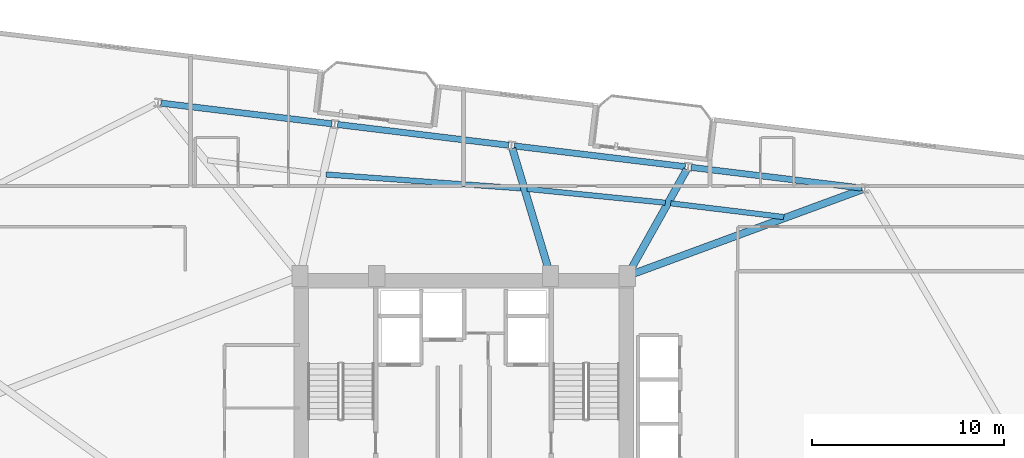
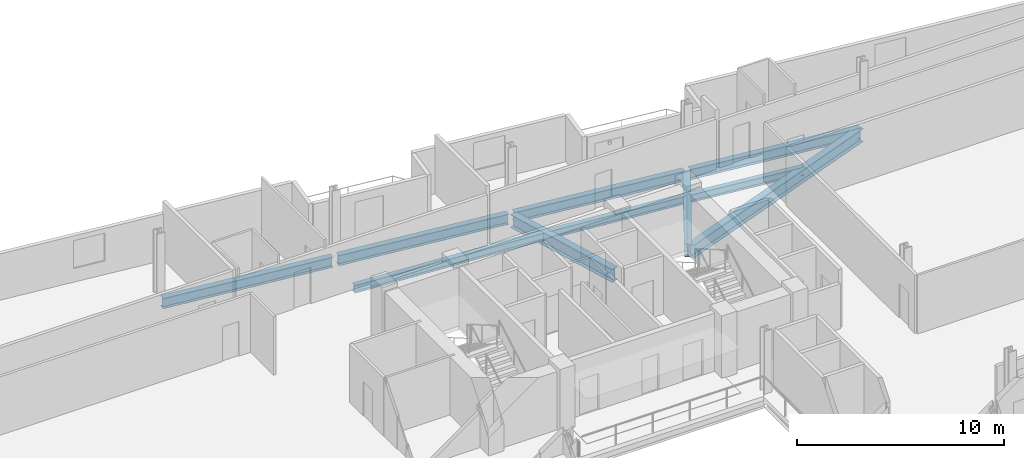
# One storey, part 13 of 26: 10 beams.
"""IFC4 building model written with IfcOpenShell, lengths in metres."""

from ifc_helpers import new_model, si_unit, direction, frame, origin, origin_2d, place, context, subcontext, project, spatial, i_section, extrude, material, material_profile, profile_set, type_object, element, save


model = new_model("IFC4")

# Units and contexts
model_context = context("Model", 3, precision=1e-05, world=origin(), true_north=direction((0.0, 1.0)))
body_context = subcontext(model_context, "Body", "Model", "MODEL_VIEW")
ifc_project = project(units=[si_unit("LENGTHUNIT", "METRE"), si_unit("AREAUNIT", "SQUARE_METRE"), si_unit("VOLUMEUNIT", "CUBIC_METRE"), si_unit("PLANEANGLEUNIT", "RADIAN"), si_unit("MASSUNIT", "GRAM", prefix="KILO")], contexts=[model_context])

# Site, building, storey
site_placement = place(None, origin())
site = spatial("IfcSite", under=ifc_project, at=site_placement, CompositionType="ELEMENT")
building_placement = place(site_placement, origin())
building = spatial("IfcBuilding", under=site, at=building_placement, Name="Varnelok Gate Tower", CompositionType="ELEMENT")
storey_placement = place(building_placement, frame((0.0, 0.0, 143.89990234375)))
storey = spatial("IfcBuildingStorey", under=building, at=storey_placement, Name="L36", CompositionType="ELEMENT", Elevation=143.89990234375)

# Beams
ifc_material = material(Name="Structural Steel ASTM A992 Grade 50", Category="steel")
ifc_material_profile_1 = material_profile(ifc_material, i_section(OverallWidth=0.280029296875, OverallDepth=0.462890625, WebThickness=0.0107421875, FlangeThickness=0.017333984375, FilletRadius=0.014892578125, at=origin_2d()), Name="W18X76")
ifc_profile_set_1 = profile_set([ifc_material_profile_1], Name="Structural Steel ASTM A992 Grade 50")
beam_type_1 = type_object("IfcBeamType", Name="BM-JST-W18X76", PredefinedType="JOIST", material=ifc_profile_set_1)
beam_1_placement = place(storey_placement, frame((55.83837890625, 42.11767578125, -0.4814453125), z_axis=(-0.992736768693, 0.120306725023, 0.0), x_axis=(-0.120306725023, -0.992736768693, 0.0)))
element("IfcBeam", 1, at=beam_1_placement, inside=storey, type_object=beam_type_1, Name="L36 Sector Floor Joist 7", PredefinedType="JOIST", context=body_context, shape_type="SweptSolid", body=[
    extrude(i_section(OverallWidth=0.280029296875, OverallDepth=0.462890625, WebThickness=0.0107421875, FlangeThickness=0.017333984375, FilletRadius=0.014892578125, at=origin_2d()), origin(), (0.0, 0.0, 1.0), 5.91748046875),
])
beam_2_placement = place(storey_placement, frame((49.685546875, 42.860595703125, -0.4814453125), z_axis=(-0.995046890512, 0.099406668195, 0.0), x_axis=(-0.099406668195, -0.995046890512, 0.0)))
element("IfcBeam", 2, at=beam_2_placement, inside=storey, type_object=beam_type_1, Name="L36 Sector Floor Joist 8", PredefinedType="JOIST", context=body_context, shape_type="SweptSolid", body=[
    extrude(i_section(OverallWidth=0.280029296875, OverallDepth=0.462890625, WebThickness=0.0107421875, FlangeThickness=0.017333984375, FilletRadius=0.014892578125, at=origin_2d()), origin(), (0.0, 0.0, 1.0), 7.22314453125),
])
beam_3_placement = place(storey_placement, frame((42.219482421875, 43.602294921875, -0.4814453125), z_axis=(-0.997461008797, 0.071214717085, 0.0), x_axis=(-0.071214717085, -0.997461008797, 0.0)))
element("IfcBeam", 3, at=beam_3_placement, inside=storey, type_object=beam_type_1, Name="L36 Sector Floor Joist 9", PredefinedType="JOIST", context=body_context, shape_type="SweptSolid", body=[
    extrude(i_section(OverallWidth=0.280029296875, OverallDepth=0.462890625, WebThickness=0.0107421875, FlangeThickness=0.017333984375, FilletRadius=0.014892578125, at=origin_2d()), origin(), (0.0, 0.0, 1.0), 10.195556640625),
])
ifc_material_profile_2 = material_profile(ifc_material, i_section(OverallWidth=0.381103515625, OverallDepth=0.77294921875, WebThickness=0.0166015625, FlangeThickness=0.027099609375, FilletRadius=0.02197265625, at=origin_2d()), Name="W30X173")
ifc_profile_set_2 = profile_set([ifc_material_profile_2], Name="Structural Steel ASTM A992 Grade 50")
beam_type_2 = type_object("IfcBeamType", Name="BM-PRI-W30X173", PredefinedType="BEAM", material=ifc_profile_set_2)
beam_4_placement = place(storey_placement, frame((47.8408203125, 39.101806640625, -0.636474609375), z_axis=(0.938296458402, 0.345831976761, 0.0), x_axis=(-0.345831976761, 0.938296458402, 0.0)))
element("IfcBeam", 4, at=beam_4_placement, inside=storey, type_object=beam_type_2, Name="L36 Radial Floor Girder 9", PredefinedType="BEAM", context=body_context, shape_type="SweptSolid", body=[
    extrude(i_section(OverallWidth=0.381103515625, OverallDepth=0.77294921875, WebThickness=0.0166015625, FlangeThickness=0.027099609375, FilletRadius=0.02197265625, at=origin_2d()), origin(), (0.0, 0.0, 1.0), 12.86669921875),
])
beam_5_placement = place(storey_placement, frame((47.773193359375, 39.180908203125, -0.636474609375), z_axis=(0.48838490004, 0.872628322605, 0.0), x_axis=(-0.872628322605, 0.48838490004, 0.0)))
element("IfcBeam", 5, at=beam_5_placement, inside=storey, type_object=beam_type_2, Name="L36 Radial Floor Girder 10", PredefinedType="BEAM", context=body_context, shape_type="SweptSolid", body=[
    extrude(i_section(OverallWidth=0.381103515625, OverallDepth=0.77294921875, WebThickness=0.0166015625, FlangeThickness=0.027099609375, FilletRadius=0.02197265625, at=origin_2d()), origin(), (0.0, 0.0, 1.0), 6.193603515625),
])
beam_6_placement = place(storey_placement, frame((43.677001953125, 39.193603515625, -0.636474609375), z_axis=(-0.28702069947, 0.957924380145, 0.0), x_axis=(-0.957924380145, -0.28702069947, 0.0)))
element("IfcBeam", 6, at=beam_6_placement, inside=storey, type_object=beam_type_2, Name="L36 Radial Floor Girder 11", PredefinedType="BEAM", context=body_context, shape_type="SweptSolid", body=[
    extrude(i_section(OverallWidth=0.381103515625, OverallDepth=0.77294921875, WebThickness=0.0166015625, FlangeThickness=0.027099609375, FilletRadius=0.02197265625, at=origin_2d()), origin(), (0.0, 0.0, 1.0), 6.777587890625),
])
ifc_material_profile_3 = material_profile(ifc_material, i_section(OverallWidth=0.323974609375, OverallDepth=0.611083984375, WebThickness=0.0126953125, FlangeThickness=0.01904296875, FilletRadius=0.01806640625, at=origin_2d()), Name="W24X104")
ifc_profile_set_3 = profile_set([ifc_material_profile_3], Name="Structural Steel ASTM A992 Grade 50")
beam_type_3 = type_object("IfcBeamType", Name="BM-SPN-W24X104", PredefinedType="SPANDREL", material=ifc_profile_set_3)
for number, where, z_axis, x_axis, name in (
    (7, (59.905517578125, 43.621337890625, -0.555419921875), (-0.99273141198, 0.120350918849, 0.0), (-0.120350918849, -0.99273141198, 0.0), "L36 Perimeter Spandrel Beam 9"),
    (8, (50.72265625, 44.734619140625, -0.555419921875), (-0.992734670707, 0.120324035735, 0.0), (-0.120324035735, -0.992734670707, 0.0), "L36 Perimeter Spandrel Beam 10"),
    (9, (41.539794921875, 45.847900390625, -0.555419921875), (-0.992734670707, 0.120324035735, 0.0), (-0.120324035735, -0.992734670707, 0.0), "L36 Perimeter Spandrel Beam 11"),
    (10, (32.357177734375, 46.9609375, -0.555419921875), (-0.99273141198, 0.120350918849, 0.0), (-0.120350918849, -0.99273141198, 0.0), "L36 Perimeter Spandrel Beam 12"),
):
    element("IfcBeam", number, at=place(storey_placement, frame(where, z_axis=z_axis, x_axis=x_axis)), inside=storey, type_object=beam_type_3, Name=name, PredefinedType="SPANDREL", context=body_context, shape_type="SweptSolid", body=[
        extrude(i_section(OverallWidth=0.323974609375, OverallDepth=0.611083984375, WebThickness=0.0126953125, FlangeThickness=0.01904296875, FilletRadius=0.01806640625, at=origin_2d()), origin(), (0.0, 0.0, 1.0), 8.949951171875),
    ])

save(model, "model.ifc")
